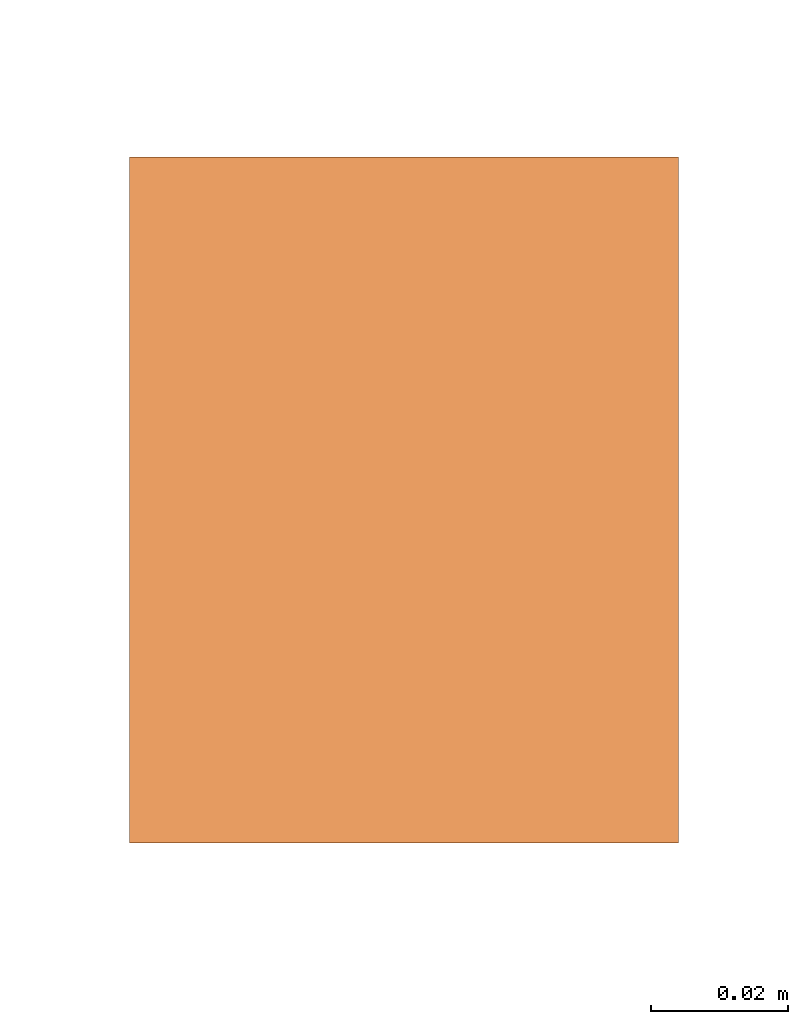
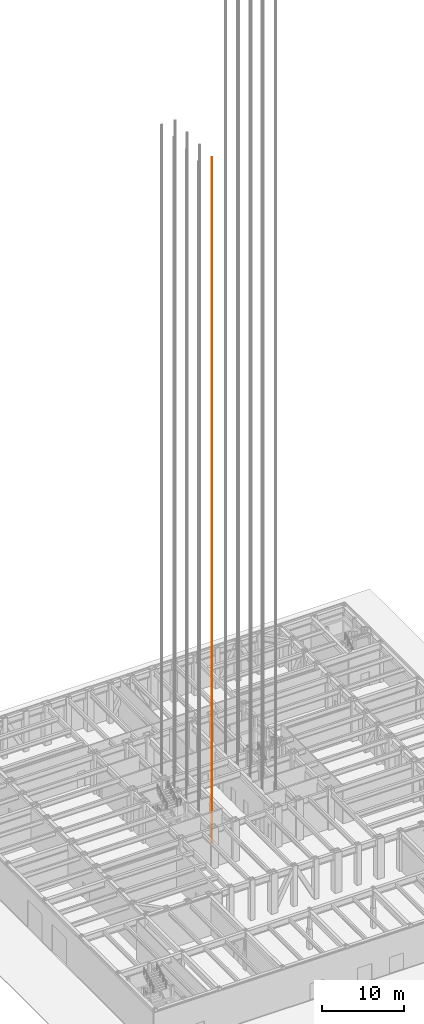
# One storey, part 21 of 35: 1 proxy.
"""IFC4 building model written with IfcOpenShell, lengths in metres."""

import ifcopenshell
import ifcopenshell.guid

model = None  # the IFC model being written
_history = None  # IfcOwnerHistory: only IFC2X3 demands one
_inside = {}  # id of a spatial element -> (the spatial element, [elements in it])
_under = {}  # id of a project, library or spatial element -> (it, [spatial elements below it])
_declared = {}  # id of a project -> (the project, [libraries it declares])
_typed = {}  # id of a type object -> (the type object, [elements of that type])
_made_of = {}  # id of a material, layer set ... -> (it, [elements and type objects made of it])


def new_model(schema):
    """Start an empty IFC model of exactly this schema.

    Asked for "IFC4X3", IfcOpenShell would pick the latest addendum, in which some entities
    have other attributes; the version numbers below select the first issue.
    IFC2X3 requires an IfcOwnerHistory on every rooted entity: one is made here for all.
    """
    global model, _history
    if schema == "IFC4X3":
        model = ifcopenshell.file(schema_version=(4, 3, 0, 0))
    else:
        model = ifcopenshell.file(schema=schema)
    _inside.clear()
    _under.clear()
    _declared.clear()
    _typed.clear()
    _made_of.clear()
    _history = None
    if model.schema == "IFC2X3":
        org = make("IfcOrganization", Name="unknown")
        user = make(
            "IfcPersonAndOrganization",
            ThePerson=make("IfcPerson", FamilyName="unknown"),
            TheOrganization=org,
        )
        app = make(
            "IfcApplication",
            ApplicationDeveloper=org,
            Version="unknown",
            ApplicationFullName="unknown",
            ApplicationIdentifier="unknown",
        )
        _history = make(
            "IfcOwnerHistory",
            OwningUser=user,
            OwningApplication=app,
            ChangeAction="ADDED",
            CreationDate=0,
        )
    return model


def make(cls, **values):
    """One entity of the class cls with the attributes given. An attribute that is None is left unset."""
    return model.create_entity(
        cls, **{name: value for name, value in values.items() if value is not None}
    )


def rooted(cls, **values):
    """An entity with a GlobalId (a new one), such as an element, a storey or a relation."""
    return make(cls, GlobalId=ifcopenshell.guid.new(), OwnerHistory=_history, **values)


def si_unit(unit_type, name, prefix=None):
    """IfcSIUnit, for example si_unit("LENGTHUNIT", "METRE", prefix="MILLI")."""
    return make("IfcSIUnit", UnitType=unit_type, Prefix=prefix, Name=name)


def assignment(units):
    """IfcUnitAssignment: the units of a project."""
    return None if units is None else make("IfcUnitAssignment", Units=units)


def point(xyz):
    """IfcCartesianPoint."""
    return None if xyz is None else make("IfcCartesianPoint", Coordinates=xyz)


def direction(xyz):
    """IfcDirection."""
    return None if xyz is None else make("IfcDirection", DirectionRatios=xyz)


def frame(location, z_axis=None, x_axis=None):
    """IfcAxis2Placement3D, a coordinate frame: its origin and axes. An axis left out is left unset."""
    return make(
        "IfcAxis2Placement3D",
        Location=point(location),
        Axis=direction(z_axis),
        RefDirection=direction(x_axis),
    )


def frame_2d(location, x_axis=None):
    """IfcAxis2Placement2D, a coordinate frame in the plane: its origin and x axis."""
    return make(
        "IfcAxis2Placement2D", Location=point(location), RefDirection=direction(x_axis)
    )


def origin():
    """The frame at (0, 0, 0) with its axes left unset."""
    return frame((0.0, 0.0, 0.0))


def origin_2d():
    """The frame at (0, 0) in the plane with its x axis left unset."""
    return frame_2d((0.0, 0.0))


def place(relative_to, where):
    """IfcLocalPlacement: puts the frame where relative to a parent placement (None: the world)."""
    return make(
        "IfcLocalPlacement", PlacementRelTo=relative_to, RelativePlacement=where
    )


def context(
    kind, dimensions, precision=None, world=None, true_north=None, identifier=None
):
    """IfcGeometricRepresentationContext, for example the 3D "Model" context."""
    return make(
        "IfcGeometricRepresentationContext",
        ContextIdentifier=identifier,
        ContextType=kind,
        CoordinateSpaceDimension=dimensions,
        Precision=precision,
        WorldCoordinateSystem=world,
        TrueNorth=true_north,
    )


def subcontext(parent, identifier, kind, view, scale=None):
    """IfcGeometricRepresentationSubContext, for example "Body" below "Model"."""
    return make(
        "IfcGeometricRepresentationSubContext",
        ContextIdentifier=identifier,
        ContextType=kind,
        ParentContext=parent,
        TargetScale=scale,
        TargetView=view,
    )


def project(units=None, contexts=None):
    """IfcProject with its units and contexts."""
    return rooted(
        "IfcProject",
        Name="project",
        RepresentationContexts=contexts,
        UnitsInContext=assignment(units),
    )


def spatial(cls, under=None, at=None, **own):
    """A site, building, storey or space (cls), placed at a placement, below another one or the project."""
    s = rooted(cls, ObjectPlacement=at, **own)
    if under is not None:
        _under.setdefault(under.id(), (under, []))[1].append(s)
    return s


def profile(cls, at=None, kind="AREA", **sizes):
    """A parametric profile (cls). Its sizes go by their IFC names, for example OverallWidth=200.0."""
    return make(cls, ProfileType=kind, Position=at, **sizes)


def rectangle(**sizes):
    """IfcRectangleProfileDef."""
    return profile("IfcRectangleProfileDef", **sizes)


def extrude(swept, where, along, depth):
    """IfcExtrudedAreaSolid: the profile swept, set in the frame where, extruded along a direction by depth."""
    return make(
        "IfcExtrudedAreaSolid",
        SweptArea=swept,
        Position=where,
        ExtrudedDirection=direction(along),
        Depth=depth,
    )


def shape(context_of_items, identifier, shape_type, items):
    """IfcShapeRepresentation: the items that make up one representation, for example the "Body"."""
    return make(
        "IfcShapeRepresentation",
        ContextOfItems=context_of_items,
        RepresentationIdentifier=identifier,
        RepresentationType=shape_type,
        Items=items,
    )


def material(Name=None, Category=None):
    """IfcMaterial."""
    return make("IfcMaterial", Name=Name, Category=Category)


def made_of(thing, what):
    """Note that an element or type object is made of a material, layer set ...; save() writes the relation."""
    if what is not None:
        _made_of.setdefault(what.id(), (what, []))[1].append(thing)
    return thing


def type_object(cls, material=None, **own):
    """A type object (cls), such as IfcWallType, which elements share."""
    return made_of(rooted(cls, **own), material)


def element(
    cls,
    number,
    at=None,
    inside=None,
    cuts=None,
    type_object=None,
    material=None,
    context=None,
    identifier="Body",
    shape_type=None,
    held_by="IfcProductDefinitionShape",
    body=None,
    shapes=None,
    **own,
):
    """One element of the class cls, such as IfcWall. Its Tag is "e" and its number.

    at: its placement. inside: the storey or other place that contains it. cuts: it is an
    opening in that element (IfcRelVoidsElement). A single representation is given by context,
    identifier, shape_type and body (its items); several are given by shapes. held_by: the class
    of the entity that holds the representations. save() writes the other relations.
    """
    e = rooted(cls, Tag="e%d" % number, ObjectPlacement=at, **own)
    if body is not None:
        shapes = [shape(context, identifier, shape_type, body)]
    if shapes is not None:
        e.Representation = make(held_by, Representations=shapes)
    if inside is not None:
        _inside.setdefault(inside.id(), (inside, []))[1].append(e)
    if cuts is not None:
        rooted(
            "IfcRelVoidsElement", RelatingBuildingElement=cuts, RelatedOpeningElement=e
        )
    if type_object is not None:
        _typed.setdefault(type_object.id(), (type_object, []))[1].append(e)
    return made_of(e, material)


def aggregate(whole, parts):
    """IfcRelAggregates: a whole, such as a stair, and the parts it consists of."""
    return rooted("IfcRelAggregates", RelatingObject=whole, RelatedObjects=parts)


def save(model, path):
    """Write the relations noted so far, then the file.

    IfcRelAggregates (storeys below a building ...), IfcRelContainedInSpatialStructure (elements
    in a storey), IfcRelDefinesByType, IfcRelAssociatesMaterial and IfcRelDeclares: one each for
    every whole, place, type object, material and project.
    """
    for whole, parts in _under.values():
        aggregate(whole, parts)
    for where, things in _inside.values():
        rooted(
            "IfcRelContainedInSpatialStructure",
            RelatedElements=things,
            RelatingStructure=where,
        )
    for kind, things in _typed.values():
        rooted("IfcRelDefinesByType", RelatedObjects=things, RelatingType=kind)
    for what, things in _made_of.values():
        rooted("IfcRelAssociatesMaterial", RelatedObjects=things, RelatingMaterial=what)
    for by, libraries in _declared.values():
        rooted("IfcRelDeclares", RelatingContext=by, RelatedDefinitions=libraries)
    model.write(path)


model = new_model("IFC4")

# Units and contexts
model_context = context("Model", 3, precision=1e-05, world=origin(), true_north=direction((0.0, 1.0)))
body_context = subcontext(model_context, "Body", "Model", "MODEL_VIEW")
ifc_project = project(units=[si_unit("LENGTHUNIT", "METRE"), si_unit("AREAUNIT", "SQUARE_METRE"), si_unit("VOLUMEUNIT", "CUBIC_METRE"), si_unit("PLANEANGLEUNIT", "RADIAN"), si_unit("MASSUNIT", "GRAM", prefix="KILO")], contexts=[model_context])

# Site, building, storey
site_placement = place(None, origin())
site = spatial("IfcSite", under=ifc_project, at=site_placement, CompositionType="ELEMENT")
building_placement = place(site_placement, origin())
building = spatial("IfcBuilding", under=site, at=building_placement, Name="Chuquiago Exchange Tower", CompositionType="ELEMENT")
storey_placement = place(building_placement, origin())
storey = spatial("IfcBuildingStorey", under=building, at=storey_placement, Name="L00", CompositionType="ELEMENT", Elevation=0.0)

# Proxy
ifc_material = material(Name="Galvanised steel guide rail", Category="steel")
building_element_proxy_type = type_object("IfcBuildingElementProxyType", Name="LR lift guide rail", PredefinedType="NOTDEFINED", material=ifc_material)
proxy_placement = place(storey_placement, frame((18.93505859375, 16.5, 0.0), z_axis=(0.0, 0.0, 1.0), x_axis=(1.0, 0.0, 0.0)))
element("IfcBuildingElementProxy", 1, at=proxy_placement, inside=storey, type_object=building_element_proxy_type, Name="Lift LA1 guide rail E", PredefinedType="NOTDEFINED", context=body_context, shape_type="SweptSolid", body=[
    extrude(rectangle(XDim=0.080078125, YDim=0.10009765625, at=origin_2d()), origin(), (0.0, 0.0, 1.0), 102.300048828125),
])

save(model, "model.ifc")
